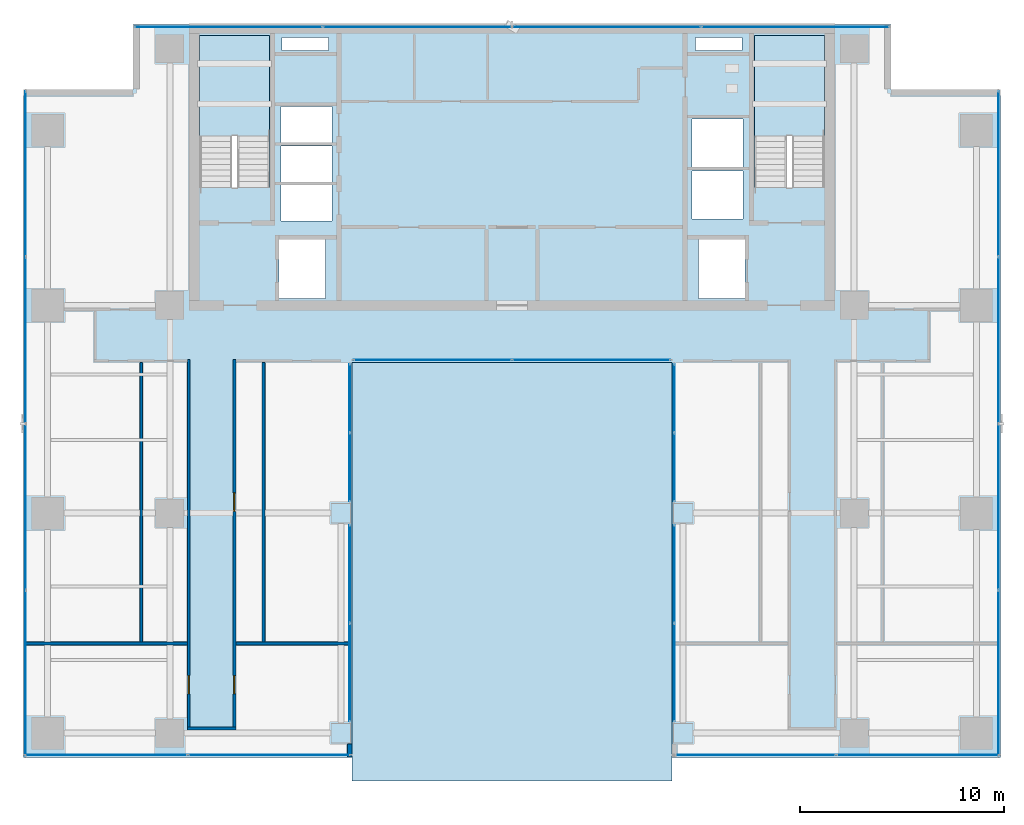
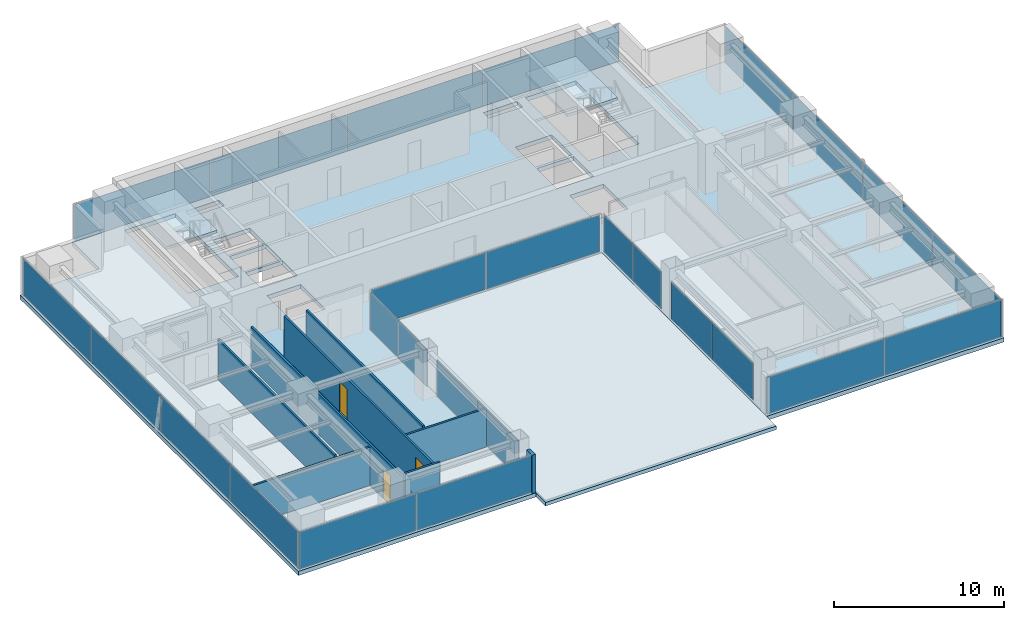
# One storey, part 23 of 30: 26 plates, 8 walls, 4 slabs, 3 doors, 3 openings, 12 elements without a shape of their own.
"""IFC4 building model written with IfcOpenShell, lengths in metres."""

import ifcopenshell
import ifcopenshell.guid

model = None  # the IFC model being written
_history = None  # IfcOwnerHistory: only IFC2X3 demands one
_inside = {}  # id of a spatial element -> (the spatial element, [elements in it])
_under = {}  # id of a project, library or spatial element -> (it, [spatial elements below it])
_declared = {}  # id of a project -> (the project, [libraries it declares])
_typed = {}  # id of a type object -> (the type object, [elements of that type])
_made_of = {}  # id of a material, layer set ... -> (it, [elements and type objects made of it])


def new_model(schema):
    """Start an empty IFC model of exactly this schema.

    Asked for "IFC4X3", IfcOpenShell would pick the latest addendum, in which some entities
    have other attributes; the version numbers below select the first issue.
    IFC2X3 requires an IfcOwnerHistory on every rooted entity: one is made here for all.
    """
    global model, _history
    if schema == "IFC4X3":
        model = ifcopenshell.file(schema_version=(4, 3, 0, 0))
    else:
        model = ifcopenshell.file(schema=schema)
    _inside.clear()
    _under.clear()
    _declared.clear()
    _typed.clear()
    _made_of.clear()
    _history = None
    if model.schema == "IFC2X3":
        org = make("IfcOrganization", Name="unknown")
        user = make(
            "IfcPersonAndOrganization",
            ThePerson=make("IfcPerson", FamilyName="unknown"),
            TheOrganization=org,
        )
        app = make(
            "IfcApplication",
            ApplicationDeveloper=org,
            Version="unknown",
            ApplicationFullName="unknown",
            ApplicationIdentifier="unknown",
        )
        _history = make(
            "IfcOwnerHistory",
            OwningUser=user,
            OwningApplication=app,
            ChangeAction="ADDED",
            CreationDate=0,
        )
    return model


def make(cls, **values):
    """One entity of the class cls with the attributes given. An attribute that is None is left unset."""
    return model.create_entity(
        cls, **{name: value for name, value in values.items() if value is not None}
    )


def rooted(cls, **values):
    """An entity with a GlobalId (a new one), such as an element, a storey or a relation."""
    return make(cls, GlobalId=ifcopenshell.guid.new(), OwnerHistory=_history, **values)


def si_unit(unit_type, name, prefix=None):
    """IfcSIUnit, for example si_unit("LENGTHUNIT", "METRE", prefix="MILLI")."""
    return make("IfcSIUnit", UnitType=unit_type, Prefix=prefix, Name=name)


def assignment(units):
    """IfcUnitAssignment: the units of a project."""
    return None if units is None else make("IfcUnitAssignment", Units=units)


def point(xyz):
    """IfcCartesianPoint."""
    return None if xyz is None else make("IfcCartesianPoint", Coordinates=xyz)


def direction(xyz):
    """IfcDirection."""
    return None if xyz is None else make("IfcDirection", DirectionRatios=xyz)


def frame(location, z_axis=None, x_axis=None):
    """IfcAxis2Placement3D, a coordinate frame: its origin and axes. An axis left out is left unset."""
    return make(
        "IfcAxis2Placement3D",
        Location=point(location),
        Axis=direction(z_axis),
        RefDirection=direction(x_axis),
    )


def frame_2d(location, x_axis=None):
    """IfcAxis2Placement2D, a coordinate frame in the plane: its origin and x axis."""
    return make(
        "IfcAxis2Placement2D", Location=point(location), RefDirection=direction(x_axis)
    )


def origin():
    """The frame at (0, 0, 0) with its axes left unset."""
    return frame((0.0, 0.0, 0.0))


def origin_2d():
    """The frame at (0, 0) in the plane with its x axis left unset."""
    return frame_2d((0.0, 0.0))


def place(relative_to, where):
    """IfcLocalPlacement: puts the frame where relative to a parent placement (None: the world)."""
    return make(
        "IfcLocalPlacement", PlacementRelTo=relative_to, RelativePlacement=where
    )


def context(
    kind, dimensions, precision=None, world=None, true_north=None, identifier=None
):
    """IfcGeometricRepresentationContext, for example the 3D "Model" context."""
    return make(
        "IfcGeometricRepresentationContext",
        ContextIdentifier=identifier,
        ContextType=kind,
        CoordinateSpaceDimension=dimensions,
        Precision=precision,
        WorldCoordinateSystem=world,
        TrueNorth=true_north,
    )


def subcontext(parent, identifier, kind, view, scale=None):
    """IfcGeometricRepresentationSubContext, for example "Body" below "Model"."""
    return make(
        "IfcGeometricRepresentationSubContext",
        ContextIdentifier=identifier,
        ContextType=kind,
        ParentContext=parent,
        TargetScale=scale,
        TargetView=view,
    )


def project(units=None, contexts=None):
    """IfcProject with its units and contexts."""
    return rooted(
        "IfcProject",
        Name="project",
        RepresentationContexts=contexts,
        UnitsInContext=assignment(units),
    )


def spatial(cls, under=None, at=None, **own):
    """A site, building, storey or space (cls), placed at a placement, below another one or the project."""
    s = rooted(cls, ObjectPlacement=at, **own)
    if under is not None:
        _under.setdefault(under.id(), (under, []))[1].append(s)
    return s


def polyline(points):
    """IfcPolyline through the points."""
    return make("IfcPolyline", Points=[point(p) for p in points])


def profile(cls, at=None, kind="AREA", **sizes):
    """A parametric profile (cls). Its sizes go by their IFC names, for example OverallWidth=200.0."""
    return make(cls, ProfileType=kind, Position=at, **sizes)


def rectangle(**sizes):
    """IfcRectangleProfileDef."""
    return profile("IfcRectangleProfileDef", **sizes)


def outline(outer, holes=None, kind="AREA"):
    """IfcArbitraryClosedProfileDef: a profile drawn as a closed curve; with holes, ...WithVoids."""
    if holes is None:
        return make("IfcArbitraryClosedProfileDef", ProfileType=kind, OuterCurve=outer)
    return make(
        "IfcArbitraryProfileDefWithVoids",
        ProfileType=kind,
        OuterCurve=outer,
        InnerCurves=holes,
    )


def extrude(swept, where, along, depth):
    """IfcExtrudedAreaSolid: the profile swept, set in the frame where, extruded along a direction by depth."""
    return make(
        "IfcExtrudedAreaSolid",
        SweptArea=swept,
        Position=where,
        ExtrudedDirection=direction(along),
        Depth=depth,
    )


def shape(context_of_items, identifier, shape_type, items):
    """IfcShapeRepresentation: the items that make up one representation, for example the "Body"."""
    return make(
        "IfcShapeRepresentation",
        ContextOfItems=context_of_items,
        RepresentationIdentifier=identifier,
        RepresentationType=shape_type,
        Items=items,
    )


def source(mapping_origin, context_of_items, identifier, shape_type, items):
    """IfcRepresentationMap: a shape defined once, which mapped items show again and again."""
    return make(
        "IfcRepresentationMap",
        MappingOrigin=mapping_origin,
        MappedRepresentation=shape(context_of_items, identifier, shape_type, items),
    )


def transform(
    local_origin,
    x_axis=None,
    y_axis=None,
    z_axis=None,
    scale=None,
    scale2=None,
    scale3=None,
    uniform=True,
):
    """IfcCartesianTransformationOperator3D, or its non-uniform kind. x_axis, y_axis, z_axis: its Axis1, 2, 3."""
    if uniform:
        return make(
            "IfcCartesianTransformationOperator3D",
            Axis1=direction(x_axis),
            Axis2=direction(y_axis),
            LocalOrigin=point(local_origin),
            Scale=scale,
            Axis3=direction(z_axis),
        )
    return make(
        "IfcCartesianTransformationOperator3DnonUniform",
        Axis1=direction(x_axis),
        Axis2=direction(y_axis),
        LocalOrigin=point(local_origin),
        Scale=scale,
        Axis3=direction(z_axis),
        Scale2=scale2,
        Scale3=scale3,
    )


def mapped(mapping_source, mapping_target):
    """IfcMappedItem: shows the shape of a source again, moved by a transform."""
    return make(
        "IfcMappedItem", MappingSource=mapping_source, MappingTarget=mapping_target
    )


def material(Name=None, Category=None):
    """IfcMaterial."""
    return make("IfcMaterial", Name=Name, Category=Category)


def layer(
    of_material, thickness, ventilated=None, Name=None, Category=None, Priority=None
):
    """IfcMaterialLayer: one layer of a wall or slab, of a material (None: an air gap)."""
    return make(
        "IfcMaterialLayer",
        Material=of_material,
        LayerThickness=thickness,
        IsVentilated=ventilated,
        Name=Name,
        Category=Category,
        Priority=Priority,
    )


def layer_set(layers, Name=None):
    """IfcMaterialLayerSet."""
    return make("IfcMaterialLayerSet", MaterialLayers=layers, LayerSetName=Name)


def made_of(thing, what):
    """Note that an element or type object is made of a material, layer set ...; save() writes the relation."""
    if what is not None:
        _made_of.setdefault(what.id(), (what, []))[1].append(thing)
    return thing


def type_object(cls, material=None, **own):
    """A type object (cls), such as IfcWallType, which elements share."""
    return made_of(rooted(cls, **own), material)


def element(
    cls,
    number,
    at=None,
    inside=None,
    cuts=None,
    type_object=None,
    material=None,
    context=None,
    identifier="Body",
    shape_type=None,
    held_by="IfcProductDefinitionShape",
    body=None,
    shapes=None,
    **own,
):
    """One element of the class cls, such as IfcWall. Its Tag is "e" and its number.

    at: its placement. inside: the storey or other place that contains it. cuts: it is an
    opening in that element (IfcRelVoidsElement). A single representation is given by context,
    identifier, shape_type and body (its items); several are given by shapes. held_by: the class
    of the entity that holds the representations. save() writes the other relations.
    """
    e = rooted(cls, Tag="e%d" % number, ObjectPlacement=at, **own)
    if body is not None:
        shapes = [shape(context, identifier, shape_type, body)]
    if shapes is not None:
        e.Representation = make(held_by, Representations=shapes)
    if inside is not None:
        _inside.setdefault(inside.id(), (inside, []))[1].append(e)
    if cuts is not None:
        rooted(
            "IfcRelVoidsElement", RelatingBuildingElement=cuts, RelatedOpeningElement=e
        )
    if type_object is not None:
        _typed.setdefault(type_object.id(), (type_object, []))[1].append(e)
    return made_of(e, material)


def fill(opening, filler):
    """IfcRelFillsElement: the door or window that sits in an opening."""
    return rooted(
        "IfcRelFillsElement",
        RelatingOpeningElement=opening,
        RelatedBuildingElement=filler,
    )


def aggregate(whole, parts):
    """IfcRelAggregates: a whole, such as a stair, and the parts it consists of."""
    return rooted("IfcRelAggregates", RelatingObject=whole, RelatedObjects=parts)


def save(model, path):
    """Write the relations noted so far, then the file.

    IfcRelAggregates (storeys below a building ...), IfcRelContainedInSpatialStructure (elements
    in a storey), IfcRelDefinesByType, IfcRelAssociatesMaterial and IfcRelDeclares: one each for
    every whole, place, type object, material and project.
    """
    for whole, parts in _under.values():
        aggregate(whole, parts)
    for where, things in _inside.values():
        rooted(
            "IfcRelContainedInSpatialStructure",
            RelatedElements=things,
            RelatingStructure=where,
        )
    for kind, things in _typed.values():
        rooted("IfcRelDefinesByType", RelatedObjects=things, RelatingType=kind)
    for what, things in _made_of.values():
        rooted("IfcRelAssociatesMaterial", RelatedObjects=things, RelatingMaterial=what)
    for by, libraries in _declared.values():
        rooted("IfcRelDeclares", RelatingContext=by, RelatedDefinitions=libraries)
    model.write(path)


model = new_model("IFC4")

# Units and contexts
model_context = context("Model", 3, precision=1e-05, world=origin(), true_north=direction((0.0, 1.0)))
body_context = subcontext(model_context, "Body", "Model", "MODEL_VIEW")
ifc_project = project(units=[si_unit("LENGTHUNIT", "METRE"), si_unit("AREAUNIT", "SQUARE_METRE"), si_unit("VOLUMEUNIT", "CUBIC_METRE"), si_unit("PLANEANGLEUNIT", "RADIAN"), si_unit("MASSUNIT", "GRAM", prefix="KILO")], contexts=[model_context])

# Site, building, storey
site_placement = place(None, origin())
site = spatial("IfcSite", under=ifc_project, at=site_placement, CompositionType="ELEMENT")
building_placement = place(site_placement, origin())
building = spatial("IfcBuilding", under=site, at=building_placement, Name="Sumidabori Civic Tower", CompositionType="ELEMENT")
storey_placement = place(building_placement, frame((0.0, 0.0, 196.39990234375)))
storey = spatial("IfcBuildingStorey", under=building, at=storey_placement, Name="L50", CompositionType="ELEMENT", Elevation=196.39990234375)

# Stair, slab
ifc_material_1 = material(Name="Concrete C40/50", Category="concrete")
stair_type = type_object("IfcStairType", Name="ST-CORE-1600", PredefinedType="HALF_TURN_STAIR", material=ifc_material_1)
stair_1_placement = place(storey_placement, origin())
stair_1 = element("IfcStair", 1, at=stair_1_placement, inside=storey, type_object=stair_type, Name="L50 ST-1", PredefinedType="HALF_TURN_STAIR")
ifc_layer_1 = layer(ifc_material_1, 0.199951171875, Name="Concrete C40/50")
ifc_layer_set_1 = layer_set([ifc_layer_1], Name="Concrete C40/50")
slab_type_1 = type_object("IfcSlabType", Name="SL-LAND-200", PredefinedType="LANDING", material=ifc_layer_set_1)
slab_1_placement = place(storey_placement, frame((0.0, 0.0, 1.60009765625)))
slab_1 = element("IfcSlab", 2, at=slab_1_placement, type_object=slab_type_1, Name="ST-1 landing 1", PredefinedType="LANDING", context=body_context, shape_type="SweptSolid", body=[
    extrude(outline(polyline([(-11.89990234375, 18.52001953125), (-11.89990234375, 23.449951171875), (-15.340087890625, 23.449951171875), (-15.340087890625, 18.52001953125), (-11.89990234375, 18.52001953125)])), origin(), (0.0, 0.0, 1.0), 0.199951171875),
])
aggregate(stair_1, [slab_1])

stair_2_placement = place(storey_placement, origin())
stair_2 = element("IfcStair", 3, at=stair_2_placement, inside=storey, type_object=stair_type, Name="L50 ST-2", PredefinedType="HALF_TURN_STAIR")
slab_2_placement = place(storey_placement, frame((0.0, 0.0, 1.60009765625)))
slab_2 = element("IfcSlab", 4, at=slab_2_placement, type_object=slab_type_1, Name="ST-2 landing 1", PredefinedType="LANDING", context=body_context, shape_type="SweptSolid", body=[
    extrude(outline(polyline([(15.340087890625, 18.52001953125), (15.340087890625, 23.449951171875), (11.89990234375, 23.449951171875), (11.89990234375, 18.52001953125), (15.340087890625, 18.52001953125)])), origin(), (0.0, 0.0, 1.0), 0.199951171875),
])
aggregate(stair_2, [slab_2])

# Slabs
ifc_layer_2 = layer(ifc_material_1, 0.300048828125, Name="Concrete C40/50")
ifc_layer_set_2 = layer_set([ifc_layer_2], Name="Concrete C40/50")
slab_type_2 = type_object("IfcSlabType", Name="SL-PRT-300", PredefinedType="FLOOR", material=ifc_layer_set_2)
slab_3_placement = place(storey_placement, frame((0.0, 0.0, -0.2998046875)))
element("IfcSlab", 5, at=slab_3_placement, inside=storey, type_object=slab_type_2, Name="Structural Slab L50", PredefinedType="FLOOR", context=body_context, shape_type="SweptSolid", body=[
    extrude(outline(polyline([(-24.0, -12.0), (-7.85009765625, -12.0), (-7.85009765625, 7.39990234375), (7.85009765625, 7.39990234375), (7.85009765625, -12.0), (24.0, -12.0), (24.0, 20.800048828125), (18.60009765625, 20.800048828125), (18.60009765625, 24.0), (-18.60009765625, 24.0), (-18.60009765625, 20.800048828125), (-24.0, 20.800048828125), (-24.0, -12.0)]), holes=[polyline([(-11.89990234375, 16.0), (-11.89990234375, 23.449951171875), (-15.340087890625, 23.449951171875), (-15.340087890625, 16.0), (-11.89990234375, 16.0)]), polyline([(15.340087890625, 16.0), (15.340087890625, 23.449951171875), (11.89990234375, 23.449951171875), (11.89990234375, 16.0), (15.340087890625, 16.0)]), polyline([(-11.449951171875, 10.550048828125), (-9.14990234375, 10.550048828125), (-9.14990234375, 13.449951171875), (-11.449951171875, 13.449951171875), (-11.449951171875, 10.550048828125)]), polyline([(9.14990234375, 10.550048828125), (11.449951171875, 10.550048828125), (11.449951171875, 13.449951171875), (9.14990234375, 13.449951171875), (9.14990234375, 10.550048828125)]), polyline([(-11.35009765625, 14.35009765625), (-8.85009765625, 14.35009765625), (-8.85009765625, 16.1201171875), (-11.35009765625, 16.1201171875), (-11.35009765625, 14.35009765625)]), polyline([(-11.35009765625, 16.27001953125), (-8.85009765625, 16.27001953125), (-8.85009765625, 18.0400390625), (-11.35009765625, 18.0400390625), (-11.35009765625, 16.27001953125)]), polyline([(-11.35009765625, 18.18994140625), (-8.85009765625, 18.18994140625), (-8.85009765625, 19.9599609375), (-11.35009765625, 19.9599609375), (-11.35009765625, 18.18994140625)]), polyline([(8.85009765625, 14.449951171875), (11.35009765625, 14.449951171875), (11.35009765625, 16.800048828125), (8.85009765625, 16.800048828125), (8.85009765625, 14.449951171875)]), polyline([(8.85009765625, 17.0), (11.35009765625, 17.0), (11.35009765625, 19.35009765625), (8.85009765625, 19.35009765625), (8.85009765625, 17.0)]), polyline([(-11.300048828125, 22.719970703125), (-9.0, 22.719970703125), (-9.0, 23.35009765625), (-11.300048828125, 23.35009765625), (-11.300048828125, 22.719970703125)]), polyline([(9.0, 22.719970703125), (11.300048828125, 22.719970703125), (11.300048828125, 23.35009765625), (9.0, 23.35009765625), (9.0, 22.719970703125)])]), origin(), (0.0, 0.0, 1.0), 0.2998046875),
])
ifc_layer_3 = layer(ifc_material_1, 0.260009765625, Name="Concrete C40/50")
ifc_layer_set_3 = layer_set([ifc_layer_3], Name="Concrete C40/50")
slab_type_3 = type_object("IfcSlabType", Name="SL-RF-260", PredefinedType="ROOF", material=ifc_layer_set_3)
slab_4_placement = place(storey_placement, frame((0.0, 0.0, -0.260009765625)))
element("IfcSlab", 6, at=slab_4_placement, inside=storey, type_object=slab_type_3, Name="Portal Sill Roof Slab L50-1", PredefinedType="ROOF", context=body_context, shape_type="SweptSolid", body=[
    extrude(outline(polyline([(7.85009765625, -13.14990234375), (7.85009765625, 7.39990234375), (-7.85009765625, 7.39990234375), (-7.85009765625, -13.14990234375), (7.85009765625, -13.14990234375)])), origin(), (0.0, 0.0, 1.0), 0.260009765625),
])

# Curtain wall, plates
ifc_material_2 = material(Name="Anodised Bronze Aluminium AW-6063-T6", Category="aluminium")
ifc_layer_4 = layer(ifc_material_2, 0.179931640625, Name="Anodised Bronze Aluminium AW-6063-T6")
ifc_layer_set_4 = layer_set([ifc_layer_4], Name="Anodised Bronze Aluminium AW-6063-T6")
curtain_wall_type_1 = type_object("IfcCurtainWallType", Name="CW-SYS-5", PredefinedType="NOTDEFINED", material=ifc_layer_set_4)
curtain_wall_1_placement = place(storey_placement, origin())
curtain_wall_1 = element("IfcCurtainWall", 7, at=curtain_wall_1_placement, inside=storey, type_object=curtain_wall_type_1, Name="Curtain Wall CW:L50:R01", PredefinedType="NOTDEFINED")
ifc_material_3 = material(Name="Low-E Solar-Control Vision Glazing", Category="glass")
ifc_layer_5 = layer(ifc_material_3, 0.028076171875, Name="Low-E Solar-Control Vision Glazing")
ifc_layer_set_5 = layer_set([ifc_layer_5], Name="Low-E Solar-Control Vision Glazing")
plate_type_1 = type_object("IfcPlateType", Name="CW-PNL-28", PredefinedType="CURTAIN_PANEL", material=ifc_layer_set_5)
shared_shape_1 = source(origin(), body_context, "Body", "SweptSolid", [
    extrude(rectangle(XDim=7.955078125, YDim=0.028076171875, at=origin_2d()), origin(), (0.0, 0.0, 1.0), 2.639892578125),
])
plate_1_placement = place(storey_placement, frame((-19.9326171875, -11.8798828125, 0.06005859375), z_axis=(0.0, 0.0, 1.0), x_axis=(1.0, 0.0, 0.0)))
plate_1 = element("IfcPlate", 8, at=plate_1_placement, type_object=plate_type_1, Name="CW-5 panel 1.1", PredefinedType="CURTAIN_PANEL", context=body_context, shape_type="MappedRepresentation", body=[
    mapped(shared_shape_1, transform((0.0, 0.0, 0.0), x_axis=(1.0, 0.0, 0.0), y_axis=(0.0, 1.0, 0.0), z_axis=(0.0, 0.0, 1.0), scale=1.0)),
])
plate_2_placement = place(storey_placement, frame((-11.91748046875, -11.8798828125, 0.06005859375), z_axis=(0.0, 0.0, 1.0), x_axis=(1.0, 0.0, 0.0)))
plate_2 = element("IfcPlate", 9, at=plate_2_placement, type_object=plate_type_1, Name="CW-5 panel 2.1", PredefinedType="CURTAIN_PANEL", context=body_context, shape_type="MappedRepresentation", body=[
    mapped(shared_shape_1, transform((0.0, 0.0, 0.0), x_axis=(1.0, 0.0, 0.0), y_axis=(0.0, 1.0, 0.0), z_axis=(0.0, 0.0, 1.0), scale=1.0)),
])
aggregate(curtain_wall_1, [plate_1, plate_2])

curtain_wall_2_placement = place(storey_placement, origin())
curtain_wall_2 = element("IfcCurtainWall", 10, at=curtain_wall_2_placement, inside=storey, type_object=curtain_wall_type_1, Name="Curtain Wall CW:L50:R09", PredefinedType="NOTDEFINED")
plate_3_placement = place(storey_placement, frame((11.91748046875, -11.8798828125, 0.06005859375), z_axis=(0.0, 0.0, 1.0), x_axis=(1.0, 0.0, 0.0)))
plate_3 = element("IfcPlate", 11, at=plate_3_placement, type_object=plate_type_1, Name="CW-5 panel 1.1", PredefinedType="CURTAIN_PANEL", context=body_context, shape_type="MappedRepresentation", body=[
    mapped(shared_shape_1, transform((0.0, 0.0, 0.0), x_axis=(1.0, 0.0, 0.0), y_axis=(0.0, 1.0, 0.0), z_axis=(0.0, 0.0, 1.0), scale=1.0)),
])
plate_4_placement = place(storey_placement, frame((19.9326171875, -11.8798828125, 0.06005859375), z_axis=(0.0, 0.0, 1.0), x_axis=(1.0, 0.0, 0.0)))
plate_4 = element("IfcPlate", 12, at=plate_4_placement, type_object=plate_type_1, Name="CW-5 panel 2.1", PredefinedType="CURTAIN_PANEL", context=body_context, shape_type="MappedRepresentation", body=[
    mapped(shared_shape_1, transform((0.0, 0.0, 0.0), x_axis=(1.0, 0.0, 0.0), y_axis=(0.0, 1.0, 0.0), z_axis=(0.0, 0.0, 1.0), scale=1.0)),
])
aggregate(curtain_wall_2, [plate_3, plate_4])

ifc_layer_6 = layer(ifc_material_2, 0.179931640625, Name="Anodised Bronze Aluminium AW-6063-T6")
ifc_layer_set_6 = layer_set([ifc_layer_6], Name="Anodised Bronze Aluminium AW-6063-T6")
curtain_wall_type_2 = type_object("IfcCurtainWallType", Name="CW-SYS-4", PredefinedType="NOTDEFINED", material=ifc_layer_set_6)
curtain_wall_3_placement = place(storey_placement, origin())
curtain_wall_3 = element("IfcCurtainWall", 13, at=curtain_wall_3_placement, inside=storey, type_object=curtain_wall_type_2, Name="Curtain Wall CW:L50:R03", PredefinedType="NOTDEFINED")
ifc_material_4 = material(Name="Acoustic Laminated Portal Glazing", Category="glass")
ifc_layer_7 = layer(ifc_material_4, 0.030029296875, Name="Acoustic Laminated Portal Glazing")
ifc_layer_set_7 = layer_set([ifc_layer_7], Name="Acoustic Laminated Portal Glazing")
plate_type_2 = type_object("IfcPlateType", Name="CW-PNL-30", PredefinedType="CURTAIN_PANEL", material=ifc_layer_set_7)
shared_shape_2 = source(origin(), body_context, "Body", "SweptSolid", [
    extrude(rectangle(XDim=4.780029296875, YDim=0.030029296875, at=origin_2d()), origin(), (0.0, 0.0, 1.0), 2.639892578125),
])
plate_5_placement = place(storey_placement, frame((-7.969970703125, -7.820068359375, 0.06005859375), z_axis=(0.0, 0.0, 1.0), x_axis=(0.0, 1.0, 0.0)))
plate_5 = element("IfcPlate", 14, at=plate_5_placement, type_object=plate_type_2, Name="CW-4 panel 1.1", PredefinedType="CURTAIN_PANEL", context=body_context, shape_type="MappedRepresentation", body=[
    mapped(shared_shape_2, transform((0.0, 0.0, 0.0), x_axis=(1.0, 0.0, 0.0), y_axis=(0.0, 1.0, 0.0), z_axis=(0.0, 0.0, 1.0), scale=1.0)),
])
plate_6_placement = place(storey_placement, frame((-7.969970703125, -2.97998046875, 0.06005859375), z_axis=(0.0, 0.0, 1.0), x_axis=(0.0, 1.0, 0.0)))
plate_6 = element("IfcPlate", 15, at=plate_6_placement, type_object=plate_type_2, Name="CW-4 panel 2.1", PredefinedType="CURTAIN_PANEL", context=body_context, shape_type="MappedRepresentation", body=[
    mapped(shared_shape_2, transform((0.0, 0.0, 0.0), x_axis=(1.0, 0.0, 0.0), y_axis=(0.0, 1.0, 0.0), z_axis=(0.0, 0.0, 1.0), scale=1.0)),
])
aggregate(curtain_wall_3, [plate_5, plate_6])

curtain_wall_4_placement = place(storey_placement, origin())
curtain_wall_4 = element("IfcCurtainWall", 16, at=curtain_wall_4_placement, inside=storey, type_object=curtain_wall_type_2, Name="Curtain Wall CW:L50:R07", PredefinedType="NOTDEFINED")
plate_7_placement = place(storey_placement, frame((7.969970703125, -2.97998046875, 0.06005859375), z_axis=(0.0, 0.0, 1.0), x_axis=(0.0, -1.0, 0.0)))
plate_7 = element("IfcPlate", 17, at=plate_7_placement, type_object=plate_type_2, Name="CW-4 panel 1.1", PredefinedType="CURTAIN_PANEL", context=body_context, shape_type="MappedRepresentation", body=[
    mapped(shared_shape_2, transform((0.0, 0.0, 0.0), x_axis=(1.0, 0.0, 0.0), y_axis=(0.0, 1.0, 0.0), z_axis=(0.0, 0.0, 1.0), scale=1.0)),
])
plate_8_placement = place(storey_placement, frame((7.969970703125, -7.820068359375, 0.06005859375), z_axis=(0.0, 0.0, 1.0), x_axis=(0.0, -1.0, 0.0)))
plate_8 = element("IfcPlate", 18, at=plate_8_placement, type_object=plate_type_2, Name="CW-4 panel 2.1", PredefinedType="CURTAIN_PANEL", context=body_context, shape_type="MappedRepresentation", body=[
    mapped(shared_shape_2, transform((0.0, 0.0, 0.0), x_axis=(1.0, 0.0, 0.0), y_axis=(0.0, 1.0, 0.0), z_axis=(0.0, 0.0, 1.0), scale=1.0)),
])
aggregate(curtain_wall_4, [plate_7, plate_8])

curtain_wall_5_placement = place(storey_placement, origin())
curtain_wall_5 = element("IfcCurtainWall", 19, at=curtain_wall_5_placement, inside=storey, type_object=curtain_wall_type_2, Name="Curtain Wall CW:L50:R04", PredefinedType="NOTDEFINED")
shared_shape_3 = source(origin(), body_context, "Body", "SweptSolid", [
    extrude(rectangle(XDim=3.330078125, YDim=0.030029296875, at=origin_2d()), origin(), (0.0, 0.0, 1.0), 2.639892578125),
])
plate_9_placement = place(storey_placement, frame((-7.969970703125, 2.2548828125, 0.06005859375), z_axis=(0.0, 0.0, 1.0), x_axis=(0.0, 1.0, 0.0)))
plate_9 = element("IfcPlate", 20, at=plate_9_placement, type_object=plate_type_2, Name="CW-4 panel 1.1", PredefinedType="CURTAIN_PANEL", context=body_context, shape_type="MappedRepresentation", body=[
    mapped(shared_shape_3, transform((0.0, 0.0, 0.0), x_axis=(1.0, 0.0, 0.0), y_axis=(0.0, 1.0, 0.0), z_axis=(0.0, 0.0, 1.0), scale=1.0)),
])
plate_10_placement = place(storey_placement, frame((-7.969970703125, 5.64501953125, 0.06005859375), z_axis=(0.0, 0.0, 1.0), x_axis=(0.0, 1.0, 0.0)))
plate_10 = element("IfcPlate", 21, at=plate_10_placement, type_object=plate_type_2, Name="CW-4 panel 2.1", PredefinedType="CURTAIN_PANEL", context=body_context, shape_type="MappedRepresentation", body=[
    mapped(shared_shape_3, transform((0.0, 0.0, 0.0), x_axis=(1.0, 0.0, 0.0), y_axis=(0.0, 1.0, 0.0), z_axis=(0.0, 0.0, 1.0), scale=1.0)),
])
aggregate(curtain_wall_5, [plate_9, plate_10])

curtain_wall_6_placement = place(storey_placement, origin())
curtain_wall_6 = element("IfcCurtainWall", 22, at=curtain_wall_6_placement, inside=storey, type_object=curtain_wall_type_2, Name="Curtain Wall CW:L50:R06", PredefinedType="NOTDEFINED")
plate_11_placement = place(storey_placement, frame((7.969970703125, 5.64501953125, 0.06005859375), z_axis=(0.0, 0.0, 1.0), x_axis=(0.0, -1.0, 0.0)))
plate_11 = element("IfcPlate", 23, at=plate_11_placement, type_object=plate_type_2, Name="CW-4 panel 1.1", PredefinedType="CURTAIN_PANEL", context=body_context, shape_type="MappedRepresentation", body=[
    mapped(shared_shape_3, transform((0.0, 0.0, 0.0), x_axis=(1.0, 0.0, 0.0), y_axis=(0.0, 1.0, 0.0), z_axis=(0.0, 0.0, 1.0), scale=1.0)),
])
plate_12_placement = place(storey_placement, frame((7.969970703125, 2.2548828125, 0.06005859375), z_axis=(0.0, 0.0, 1.0), x_axis=(0.0, -1.0, 0.0)))
plate_12 = element("IfcPlate", 24, at=plate_12_placement, type_object=plate_type_2, Name="CW-4 panel 2.1", PredefinedType="CURTAIN_PANEL", context=body_context, shape_type="MappedRepresentation", body=[
    mapped(shared_shape_3, transform((0.0, 0.0, 0.0), x_axis=(1.0, 0.0, 0.0), y_axis=(0.0, 1.0, 0.0), z_axis=(0.0, 0.0, 1.0), scale=1.0)),
])
aggregate(curtain_wall_6, [plate_11, plate_12])

curtain_wall_7_placement = place(storey_placement, origin())
curtain_wall_7 = element("IfcCurtainWall", 25, at=curtain_wall_7_placement, inside=storey, type_object=curtain_wall_type_2, Name="Curtain Wall CW:L50:R05", PredefinedType="NOTDEFINED")
shared_shape_4 = source(origin(), body_context, "Body", "SweptSolid", [
    extrude(rectangle(XDim=7.72998046875, YDim=0.030029296875, at=origin_2d()), origin(), (0.0, 0.0, 1.0), 2.639892578125),
])
plate_13_placement = place(storey_placement, frame((-3.89501953125, 7.52001953125, 0.06005859375), z_axis=(0.0, 0.0, 1.0), x_axis=(1.0, 0.0, 0.0)))
plate_13 = element("IfcPlate", 26, at=plate_13_placement, type_object=plate_type_2, Name="CW-4 panel 1.1", PredefinedType="CURTAIN_PANEL", context=body_context, shape_type="MappedRepresentation", body=[
    mapped(shared_shape_4, transform((0.0, 0.0, 0.0), x_axis=(1.0, 0.0, 0.0), y_axis=(0.0, 1.0, 0.0), z_axis=(0.0, 0.0, 1.0), scale=1.0)),
])
plate_14_placement = place(storey_placement, frame((3.89501953125, 7.52001953125, 0.06005859375), z_axis=(0.0, 0.0, 1.0), x_axis=(1.0, 0.0, 0.0)))
plate_14 = element("IfcPlate", 27, at=plate_14_placement, type_object=plate_type_2, Name="CW-4 panel 2.1", PredefinedType="CURTAIN_PANEL", context=body_context, shape_type="MappedRepresentation", body=[
    mapped(shared_shape_4, transform((0.0, 0.0, 0.0), x_axis=(1.0, 0.0, 0.0), y_axis=(0.0, 1.0, 0.0), z_axis=(0.0, 0.0, 1.0), scale=1.0)),
])
aggregate(curtain_wall_7, [plate_13, plate_14])

curtain_wall_8_placement = place(storey_placement, origin())
curtain_wall_8 = element("IfcCurtainWall", 28, at=curtain_wall_8_placement, inside=storey, type_object=curtain_wall_type_1, Name="Curtain Wall CW:L50:R10", PredefinedType="NOTDEFINED")
shared_shape_5 = source(origin(), body_context, "Body", "SweptSolid", [
    extrude(rectangle(XDim=8.094970703125, YDim=0.028076171875, at=origin_2d()), origin(), (0.0, 0.0, 1.0), 2.639892578125),
])
plate_15_placement = place(storey_placement, frame((23.8798828125, -7.862548828125, 0.06005859375), z_axis=(0.0, 0.0, 1.0), x_axis=(0.0, 1.0, 0.0)))
plate_15 = element("IfcPlate", 29, at=plate_15_placement, type_object=plate_type_1, Name="CW-5 panel 1.1", PredefinedType="CURTAIN_PANEL", context=body_context, shape_type="MappedRepresentation", body=[
    mapped(shared_shape_5, transform((0.0, 0.0, 0.0), x_axis=(1.0, 0.0, 0.0), y_axis=(0.0, 1.0, 0.0), z_axis=(0.0, 0.0, 1.0), scale=1.0)),
])
plate_16_placement = place(storey_placement, frame((23.8798828125, 16.66259765625, 0.06005859375), z_axis=(0.0, 0.0, 1.0), x_axis=(0.0, 1.0, 0.0)))
plate_16 = element("IfcPlate", 30, at=plate_16_placement, type_object=plate_type_1, Name="CW-5 panel 4.1", PredefinedType="CURTAIN_PANEL", context=body_context, shape_type="MappedRepresentation", body=[
    mapped(shared_shape_5, transform((0.0, 0.0, 0.0), x_axis=(1.0, 0.0, 0.0), y_axis=(0.0, 1.0, 0.0), z_axis=(0.0, 0.0, 1.0), scale=1.0)),
])

curtain_wall_9_placement = place(storey_placement, origin())
curtain_wall_9 = element("IfcCurtainWall", 31, at=curtain_wall_9_placement, inside=storey, type_object=curtain_wall_type_1, Name="Curtain Wall CW:L50:R16", PredefinedType="NOTDEFINED")
plate_17_placement = place(storey_placement, frame((-23.8798828125, 16.66259765625, 0.06005859375), z_axis=(0.0, 0.0, 1.0), x_axis=(0.0, -1.0, 0.0)))
plate_17 = element("IfcPlate", 32, at=plate_17_placement, type_object=plate_type_1, Name="CW-5 panel 1.1", PredefinedType="CURTAIN_PANEL", context=body_context, shape_type="MappedRepresentation", body=[
    mapped(shared_shape_5, transform((0.0, 0.0, 0.0), x_axis=(1.0, 0.0, 0.0), y_axis=(0.0, 1.0, 0.0), z_axis=(0.0, 0.0, 1.0), scale=1.0)),
])
plate_18_placement = place(storey_placement, frame((-23.8798828125, -7.862548828125, 0.06005859375), z_axis=(0.0, 0.0, 1.0), x_axis=(0.0, -1.0, 0.0)))
plate_18 = element("IfcPlate", 33, at=plate_18_placement, type_object=plate_type_1, Name="CW-5 panel 4.1", PredefinedType="CURTAIN_PANEL", context=body_context, shape_type="MappedRepresentation", body=[
    mapped(shared_shape_5, transform((0.0, 0.0, 0.0), x_axis=(1.0, 0.0, 0.0), y_axis=(0.0, 1.0, 0.0), z_axis=(0.0, 0.0, 1.0), scale=1.0)),
])

# Plate
shared_shape_6 = source(origin(), body_context, "Body", "SweptSolid", [
    extrude(rectangle(XDim=8.125, YDim=0.028076171875, at=origin_2d()), origin(), (0.0, 0.0, 1.0), 2.639892578125),
])
plate_19_placement = place(storey_placement, frame((23.8798828125, 0.3076171875, 0.06005859375), z_axis=(0.0, 0.0, 1.0), x_axis=(0.0, 1.0, 0.0)))
plate_19 = element("IfcPlate", 34, at=plate_19_placement, type_object=plate_type_1, Name="CW-5 panel 2.1", PredefinedType="CURTAIN_PANEL", context=body_context, shape_type="MappedRepresentation", body=[
    mapped(shared_shape_6, transform((0.0, 0.0, 0.0), x_axis=(1.0, 0.0, 0.0), y_axis=(0.0, 1.0, 0.0), z_axis=(0.0, 0.0, 1.0), scale=1.0)),
])

plate_20_placement = place(storey_placement, frame((23.8798828125, 8.492431640625, 0.06005859375), z_axis=(0.0, 0.0, 1.0), x_axis=(0.0, 1.0, 0.0)))
plate_20 = element("IfcPlate", 35, at=plate_20_placement, type_object=plate_type_1, Name="CW-5 panel 3.1", PredefinedType="CURTAIN_PANEL", context=body_context, shape_type="MappedRepresentation", body=[
    mapped(shared_shape_6, transform((0.0, 0.0, 0.0), x_axis=(1.0, 0.0, 0.0), y_axis=(0.0, 1.0, 0.0), z_axis=(0.0, 0.0, 1.0), scale=1.0)),
])

aggregate(curtain_wall_8, [plate_15, plate_19, plate_20, plate_16])

plate_21_placement = place(storey_placement, frame((-23.8798828125, 8.492431640625, 0.06005859375), z_axis=(0.0, 0.0, 1.0), x_axis=(0.0, -1.0, 0.0)))
plate_21 = element("IfcPlate", 36, at=plate_21_placement, type_object=plate_type_1, Name="CW-5 panel 2.1", PredefinedType="CURTAIN_PANEL", context=body_context, shape_type="MappedRepresentation", body=[
    mapped(shared_shape_6, transform((0.0, 0.0, 0.0), x_axis=(1.0, 0.0, 0.0), y_axis=(0.0, 1.0, 0.0), z_axis=(0.0, 0.0, 1.0), scale=1.0)),
])

plate_22_placement = place(storey_placement, frame((-23.8798828125, 0.3076171875, 0.06005859375), z_axis=(0.0, 0.0, 1.0), x_axis=(0.0, -1.0, 0.0)))
plate_22 = element("IfcPlate", 37, at=plate_22_placement, type_object=plate_type_1, Name="CW-5 panel 3.1", PredefinedType="CURTAIN_PANEL", context=body_context, shape_type="MappedRepresentation", body=[
    mapped(shared_shape_6, transform((0.0, 0.0, 0.0), x_axis=(1.0, 0.0, 0.0), y_axis=(0.0, 1.0, 0.0), z_axis=(0.0, 0.0, 1.0), scale=1.0)),
])

aggregate(curtain_wall_9, [plate_17, plate_21, plate_22, plate_18])

# Curtain wall, plates
curtain_wall_10_placement = place(storey_placement, origin())
curtain_wall_10 = element("IfcCurtainWall", 38, at=curtain_wall_10_placement, inside=storey, type_object=curtain_wall_type_1, Name="Curtain Wall CW:L50:R13", PredefinedType="NOTDEFINED")
shared_shape_7 = source(origin(), body_context, "Body", "SweptSolid", [
    extrude(rectangle(XDim=9.195068359375, YDim=0.028076171875, at=origin_2d()), origin(), (0.0, 0.0, 1.0), 2.639892578125),
])
plate_23_placement = place(storey_placement, frame((13.91259765625, 23.8798828125, 0.06005859375), z_axis=(0.0, 0.0, 1.0), x_axis=(-1.0, 0.0, 0.0)))
plate_23 = element("IfcPlate", 39, at=plate_23_placement, type_object=plate_type_1, Name="CW-5 panel 1.1", PredefinedType="CURTAIN_PANEL", context=body_context, shape_type="MappedRepresentation", body=[
    mapped(shared_shape_7, transform((0.0, 0.0, 0.0), x_axis=(1.0, 0.0, 0.0), y_axis=(0.0, 1.0, 0.0), z_axis=(0.0, 0.0, 1.0), scale=1.0)),
])
plate_24_placement = place(storey_placement, frame((-13.91259765625, 23.8798828125, 0.06005859375), z_axis=(0.0, 0.0, 1.0), x_axis=(-1.0, 0.0, 0.0)))
plate_24 = element("IfcPlate", 40, at=plate_24_placement, type_object=plate_type_1, Name="CW-5 panel 4.1", PredefinedType="CURTAIN_PANEL", context=body_context, shape_type="MappedRepresentation", body=[
    mapped(shared_shape_7, transform((0.0, 0.0, 0.0), x_axis=(1.0, 0.0, 0.0), y_axis=(0.0, 1.0, 0.0), z_axis=(0.0, 0.0, 1.0), scale=1.0)),
])
shared_shape_8 = source(origin(), body_context, "Body", "SweptSolid", [
    extrude(rectangle(XDim=9.22509765625, YDim=0.028076171875, at=origin_2d()), origin(), (0.0, 0.0, 1.0), 2.639892578125),
])
plate_25_placement = place(storey_placement, frame((4.642578125, 23.8798828125, 0.06005859375), z_axis=(0.0, 0.0, 1.0), x_axis=(-1.0, 0.0, 0.0)))
plate_25 = element("IfcPlate", 41, at=plate_25_placement, type_object=plate_type_1, Name="CW-5 panel 2.1", PredefinedType="CURTAIN_PANEL", context=body_context, shape_type="MappedRepresentation", body=[
    mapped(shared_shape_8, transform((0.0, 0.0, 0.0), x_axis=(1.0, 0.0, 0.0), y_axis=(0.0, 1.0, 0.0), z_axis=(0.0, 0.0, 1.0), scale=1.0)),
])
plate_26_placement = place(storey_placement, frame((-4.642578125, 23.8798828125, 0.06005859375), z_axis=(0.0, 0.0, 1.0), x_axis=(-1.0, 0.0, 0.0)))
plate_26 = element("IfcPlate", 42, at=plate_26_placement, type_object=plate_type_1, Name="CW-5 panel 3.1", PredefinedType="CURTAIN_PANEL", context=body_context, shape_type="MappedRepresentation", body=[
    mapped(shared_shape_8, transform((0.0, 0.0, 0.0), x_axis=(1.0, 0.0, 0.0), y_axis=(0.0, 1.0, 0.0), z_axis=(0.0, 0.0, 1.0), scale=1.0)),
])
aggregate(curtain_wall_10, [plate_23, plate_25, plate_26, plate_24])

# Walls
ifc_material_5 = material(Name="Precast concrete C40/50", Category="concrete")
ifc_layer_8 = layer(ifc_material_5, 0.300048828125, Name="Precast concrete C40/50")
ifc_layer_set_8 = layer_set([ifc_layer_8], Name="Precast concrete C40/50")
wall_type_1 = type_object("IfcWallType", Name="WL-EXT-POD300", PredefinedType="STANDARD", material=ifc_layer_set_8)
shared_shape_9 = source(origin(), body_context, "Body", "SweptSolid", [
    extrude(rectangle(XDim=0.639892578125, YDim=0.239990234375, at=frame_2d((0.31982421875, 0.0))), origin(), (0.0, 0.0, 1.0), 2.760009765625),
])
wall_1_placement = place(storey_placement, frame((-7.969970703125, -11.969970703125, 0.0), z_axis=(0.0, 0.0, 1.0), x_axis=(0.0, 1.0, 0.0)))
element("IfcWall", 43, at=wall_1_placement, inside=storey, type_object=wall_type_1, Name="Perimeter Pier Spandrel L50-02", PredefinedType="STANDARD", context=body_context, shape_type="MappedRepresentation", body=[
    mapped(shared_shape_9, transform((0.0, 0.0, 0.0), x_axis=(1.0, 0.0, 0.0), y_axis=(0.0, 1.0, 0.0), z_axis=(0.0, 0.0, 1.0), scale=1.0)),
])
ifc_material_6 = material(Name="Gypsum Plasterboard Acoustic Partition")
ifc_layer_9 = layer(ifc_material_6, 0.135009765625, Name="Gypsum Plasterboard Acoustic Partition")
ifc_layer_set_9 = layer_set([ifc_layer_9], Name="Gypsum Plasterboard Acoustic Partition")
wall_type_2 = type_object("IfcWallType", Name="WL-PART-135", PredefinedType="PARTITIONING", material=ifc_layer_set_9)
shared_shape_10 = source(origin(), body_context, "Body", "SweptSolid", [
    extrude(rectangle(XDim=2.3701171875, YDim=0.135009765625, at=frame_2d((1.18505859375, 0.0))), origin(), (0.0, 0.0, 1.0), 3.380126953125),
])
wall_2_placement = place(storey_placement, frame((-15.93505859375, -10.5673828125, 0.0), z_axis=(0.0, 0.0, 1.0), x_axis=(1.0, 0.0, 0.0)))
element("IfcWall", 44, at=wall_2_placement, inside=storey, type_object=wall_type_2, Name="Interior Partition WL:L50:CORR-CAP-W", PredefinedType="PARTITIONING", context=body_context, shape_type="MappedRepresentation", body=[
    mapped(shared_shape_10, transform((0.0, 0.0, 0.0), x_axis=(1.0, 0.0, 0.0), y_axis=(0.0, 1.0, 0.0), z_axis=(0.0, 0.0, 1.0), scale=1.0)),
])

# Wall, opening, door
shared_shape_11 = source(origin(), body_context, "Body", "SweptSolid", [
    extrude(rectangle(XDim=18.045166015625, YDim=0.135009765625, at=frame_2d((9.0224609375, 0.0))), origin(), (0.0, 0.0, 1.0), 2.9150390625),
])
wall_3_placement = place(storey_placement, frame((-15.867431640625, -10.4951171875, 0.0), z_axis=(0.0, 0.0, 1.0), x_axis=(0.0, 1.0, 0.0)))
wall_3 = element("IfcWall", 45, at=wall_3_placement, inside=storey, type_object=wall_type_2, Name="Interior Partition WL:L50:CORR-VPW-O", PredefinedType="PARTITIONING", context=body_context, shape_type="MappedRepresentation", body=[
    mapped(shared_shape_11, transform((0.0, 0.0, 0.0), x_axis=(1.0, 0.0, 0.0), y_axis=(0.0, 1.0, 0.0), z_axis=(0.0, 0.0, 1.0), scale=1.0)),
])
opening_1_placement = place(wall_3_placement, frame((1.623779296875, 0.0, 0.0)))
opening_1 = element("IfcOpeningElement", 46, at=opening_1_placement, cuts=wall_3, Name="Opening DR-1", PredefinedType="OPENING", context=body_context, shape_type="SweptSolid", body=[
    extrude(rectangle(XDim=0.89990234375, YDim=2.14990234375, at=frame_2d((0.449951171875, 1.074951171875))), frame((0.0, 0.07958984375, 0.0), z_axis=(0.0, -1.0, 0.0), x_axis=(1.0, 0.0, 0.0)), (0.0, 0.0, 1.0), 0.158935546875),
])
ifc_material_7 = material(Name="Japanese Hinoki Timber", Category="wood")
door_type = type_object("IfcDoorType", Name="DR-INT-900", OperationType="NOTDEFINED", PredefinedType="DOOR", material=ifc_material_7)
shared_shape_12 = source(origin(), body_context, "Body", "SweptSolid", [
    extrude(rectangle(XDim=0.89990234375, YDim=2.14990234375, at=frame_2d((0.449951171875, 1.074951171875))), frame((0.0, 0.02490234375, 0.0), z_axis=(0.0, -1.0, 0.0), x_axis=(1.0, 0.0, 0.0)), (0.0, 0.0, 1.0), 0.050048828125),
])
door_1_placement = place(opening_1_placement, origin())
door_1 = element("IfcDoor", 47, at=door_1_placement, inside=storey, type_object=door_type, Name="Door DR:L50:D11", OperationType="SINGLE_SWING_LEFT", OverallHeight=2.14990234375, OverallWidth=0.89990234375, PredefinedType="DOOR", context=body_context, shape_type="MappedRepresentation", body=[
    mapped(shared_shape_12, transform((0.0, 0.0, 0.0), x_axis=(1.0, 0.0, 0.0), y_axis=(0.0, 1.0, 0.0), z_axis=(0.0, 0.0, 1.0), scale=1.0)),
])
fill(opening_1, door_1)

# Wall, openings, doors
wall_4_placement = place(storey_placement, frame((-13.632568359375, -10.4951171875, 0.0), z_axis=(0.0, 0.0, 1.0), x_axis=(0.0, 1.0, 0.0)))
wall_4 = element("IfcWall", 48, at=wall_4_placement, inside=storey, type_object=wall_type_2, Name="Interior Partition WL:L50:CORR-VPW-I", PredefinedType="PARTITIONING", context=body_context, shape_type="MappedRepresentation", body=[
    mapped(shared_shape_11, transform((0.0, 0.0, 0.0), x_axis=(1.0, 0.0, 0.0), y_axis=(0.0, 1.0, 0.0), z_axis=(0.0, 0.0, 1.0), scale=1.0)),
])
opening_2_placement = place(wall_4_placement, frame((10.586181640625, 0.0, 0.0)))
opening_2 = element("IfcOpeningElement", 49, at=opening_2_placement, cuts=wall_4, Name="Opening DR-1", PredefinedType="OPENING", context=body_context, shape_type="SweptSolid", body=[
    extrude(rectangle(XDim=0.89990234375, YDim=2.14990234375, at=frame_2d((0.449951171875, 1.074951171875))), frame((0.0, 0.07958984375, 0.0), z_axis=(0.0, -1.0, 0.0), x_axis=(1.0, 0.0, 0.0)), (0.0, 0.0, 1.0), 0.158935546875),
])
opening_3_placement = place(wall_4_placement, frame((1.623779296875, 0.0, 0.0)))
opening_3 = element("IfcOpeningElement", 50, at=opening_3_placement, cuts=wall_4, Name="Opening DR-1", PredefinedType="OPENING", context=body_context, shape_type="SweptSolid", body=[
    extrude(rectangle(XDim=0.89990234375, YDim=2.14990234375, at=frame_2d((0.449951171875, 1.074951171875))), frame((0.0, 0.07958984375, 0.0), z_axis=(0.0, -1.0, 0.0), x_axis=(1.0, 0.0, 0.0)), (0.0, 0.0, 1.0), 0.158935546875),
])
door_2_placement = place(opening_2_placement, origin())
door_2 = element("IfcDoor", 51, at=door_2_placement, inside=storey, type_object=door_type, Name="Door DR:L50:D09", OperationType="SINGLE_SWING_LEFT", OverallHeight=2.14990234375, OverallWidth=0.89990234375, PredefinedType="DOOR", context=body_context, shape_type="MappedRepresentation", body=[
    mapped(shared_shape_12, transform((0.0, 0.0, 0.0), x_axis=(1.0, 0.0, 0.0), y_axis=(0.0, 1.0, 0.0), z_axis=(0.0, 0.0, 1.0), scale=1.0)),
])
fill(opening_2, door_2)
door_3_placement = place(opening_3_placement, origin())
door_3 = element("IfcDoor", 52, at=door_3_placement, inside=storey, type_object=door_type, Name="Door DR:L50:D13", OperationType="SINGLE_SWING_LEFT", OverallHeight=2.14990234375, OverallWidth=0.89990234375, PredefinedType="DOOR", context=body_context, shape_type="MappedRepresentation", body=[
    mapped(shared_shape_12, transform((0.0, 0.0, 0.0), x_axis=(1.0, 0.0, 0.0), y_axis=(0.0, 1.0, 0.0), z_axis=(0.0, 0.0, 1.0), scale=1.0)),
])
fill(opening_3, door_3)

# Walls
shared_shape_13 = source(origin(), body_context, "Body", "SweptSolid", [
    extrude(rectangle(XDim=7.91015625, YDim=0.135009765625, at=frame_2d((3.955078125, 0.0))), origin(), (0.0, 0.0, 1.0), 2.76513671875),
])
wall_5_placement = place(storey_placement, frame((-23.85009765625, -6.39990234375, 0.0), z_axis=(0.0, 0.0, 1.0), x_axis=(1.0, 0.0, 0.0)))
element("IfcWall", 53, at=wall_5_placement, inside=storey, type_object=wall_type_2, Name="Interior Partition WL:L50:BAND-YW-1", PredefinedType="PARTITIONING", context=body_context, shape_type="MappedRepresentation", body=[
    mapped(shared_shape_13, transform((0.0, 0.0, 0.0), x_axis=(1.0, 0.0, 0.0), y_axis=(0.0, 1.0, 0.0), z_axis=(0.0, 0.0, 1.0), scale=1.0)),
])
shared_shape_14 = source(origin(), body_context, "Body", "SweptSolid", [
    extrude(rectangle(XDim=5.56005859375, YDim=0.135009765625, at=frame_2d((2.780029296875, 0.0))), origin(), (0.0, 0.0, 1.0), 2.76513671875),
])
wall_6_placement = place(storey_placement, frame((-13.56005859375, -6.39990234375, 0.0), z_axis=(0.0, 0.0, 1.0), x_axis=(1.0, 0.0, 0.0)))
element("IfcWall", 54, at=wall_6_placement, inside=storey, type_object=wall_type_2, Name="Interior Partition WL:L50:BAND-YW-2", PredefinedType="PARTITIONING", context=body_context, shape_type="MappedRepresentation", body=[
    mapped(shared_shape_14, transform((0.0, 0.0, 0.0), x_axis=(1.0, 0.0, 0.0), y_axis=(0.0, 1.0, 0.0), z_axis=(0.0, 0.0, 1.0), scale=1.0)),
])
shared_shape_15 = source(origin(), body_context, "Body", "SweptSolid", [
    extrude(rectangle(XDim=13.7373046875, YDim=0.135009765625, at=frame_2d((6.86865234375, 0.0))), origin(), (0.0, 0.0, 1.0), 2.9150390625),
])
for number, where, z_axis, x_axis, name in (
    (55, (-18.199951171875, -6.327392578125, 0.0), (0.0, 0.0, 1.0), (0.0, 1.0, 0.0), "Interior Partition WL:L50:VX-N1"),
    (56, (-12.199951171875, -6.327392578125, 0.0), (0.0, 0.0, 1.0), (0.0, 1.0, 0.0), "Interior Partition WL:L50:VX-N2"),
):
    element("IfcWall", number, at=place(storey_placement, frame(where, z_axis=z_axis, x_axis=x_axis)), inside=storey, type_object=wall_type_2, Name=name, PredefinedType="PARTITIONING", context=body_context, shape_type="MappedRepresentation", body=[
        mapped(shared_shape_15, transform((0.0, 0.0, 0.0), x_axis=(1.0, 0.0, 0.0), y_axis=(0.0, 1.0, 0.0), z_axis=(0.0, 0.0, 1.0), scale=1.0)),
    ])

save(model, "model.ifc")
